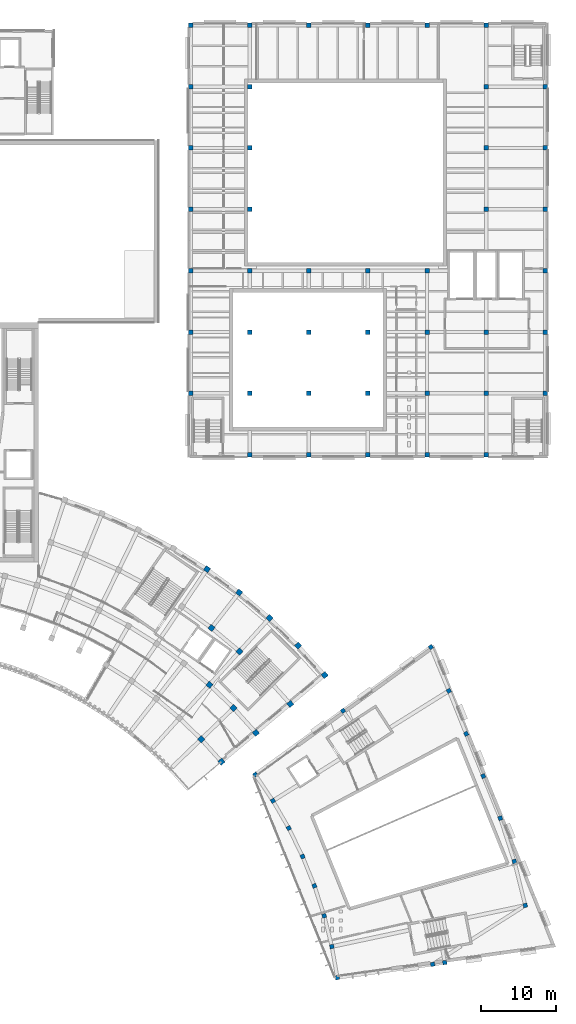
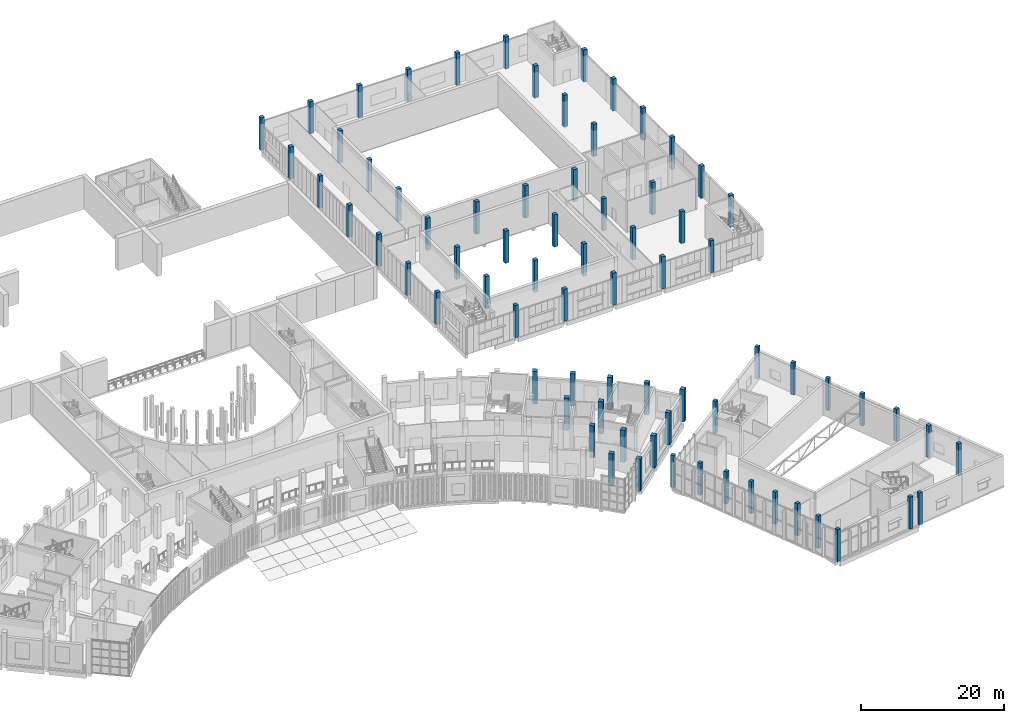
# One storey, part 2 of 112: 74 columns.
"""IFC4 building model written with IfcOpenShell, lengths in metres."""

import ifcopenshell
import ifcopenshell.guid

model = None  # the IFC model being written
_history = None  # IfcOwnerHistory: only IFC2X3 demands one
_inside = {}  # id of a spatial element -> (the spatial element, [elements in it])
_under = {}  # id of a project, library or spatial element -> (it, [spatial elements below it])
_declared = {}  # id of a project -> (the project, [libraries it declares])
_typed = {}  # id of a type object -> (the type object, [elements of that type])
_made_of = {}  # id of a material, layer set ... -> (it, [elements and type objects made of it])


def new_model(schema):
    """Start an empty IFC model of exactly this schema.

    Asked for "IFC4X3", IfcOpenShell would pick the latest addendum, in which some entities
    have other attributes; the version numbers below select the first issue.
    IFC2X3 requires an IfcOwnerHistory on every rooted entity: one is made here for all.
    """
    global model, _history
    if schema == "IFC4X3":
        model = ifcopenshell.file(schema_version=(4, 3, 0, 0))
    else:
        model = ifcopenshell.file(schema=schema)
    _inside.clear()
    _under.clear()
    _declared.clear()
    _typed.clear()
    _made_of.clear()
    _history = None
    if model.schema == "IFC2X3":
        org = make("IfcOrganization", Name="unknown")
        user = make(
            "IfcPersonAndOrganization",
            ThePerson=make("IfcPerson", FamilyName="unknown"),
            TheOrganization=org,
        )
        app = make(
            "IfcApplication",
            ApplicationDeveloper=org,
            Version="unknown",
            ApplicationFullName="unknown",
            ApplicationIdentifier="unknown",
        )
        _history = make(
            "IfcOwnerHistory",
            OwningUser=user,
            OwningApplication=app,
            ChangeAction="ADDED",
            CreationDate=0,
        )
    return model


def make(cls, **values):
    """One entity of the class cls with the attributes given. An attribute that is None is left unset."""
    return model.create_entity(
        cls, **{name: value for name, value in values.items() if value is not None}
    )


def rooted(cls, **values):
    """An entity with a GlobalId (a new one), such as an element, a storey or a relation."""
    return make(cls, GlobalId=ifcopenshell.guid.new(), OwnerHistory=_history, **values)


def si_unit(unit_type, name, prefix=None):
    """IfcSIUnit, for example si_unit("LENGTHUNIT", "METRE", prefix="MILLI")."""
    return make("IfcSIUnit", UnitType=unit_type, Prefix=prefix, Name=name)


def assignment(units):
    """IfcUnitAssignment: the units of a project."""
    return None if units is None else make("IfcUnitAssignment", Units=units)


def point(xyz):
    """IfcCartesianPoint."""
    return None if xyz is None else make("IfcCartesianPoint", Coordinates=xyz)


def direction(xyz):
    """IfcDirection."""
    return None if xyz is None else make("IfcDirection", DirectionRatios=xyz)


def frame(location, z_axis=None, x_axis=None):
    """IfcAxis2Placement3D, a coordinate frame: its origin and axes. An axis left out is left unset."""
    return make(
        "IfcAxis2Placement3D",
        Location=point(location),
        Axis=direction(z_axis),
        RefDirection=direction(x_axis),
    )


def frame_2d(location, x_axis=None):
    """IfcAxis2Placement2D, a coordinate frame in the plane: its origin and x axis."""
    return make(
        "IfcAxis2Placement2D", Location=point(location), RefDirection=direction(x_axis)
    )


def origin():
    """The frame at (0, 0, 0) with its axes left unset."""
    return frame((0.0, 0.0, 0.0))


def origin_2d():
    """The frame at (0, 0) in the plane with its x axis left unset."""
    return frame_2d((0.0, 0.0))


def place(relative_to, where):
    """IfcLocalPlacement: puts the frame where relative to a parent placement (None: the world)."""
    return make(
        "IfcLocalPlacement", PlacementRelTo=relative_to, RelativePlacement=where
    )


def context(
    kind, dimensions, precision=None, world=None, true_north=None, identifier=None
):
    """IfcGeometricRepresentationContext, for example the 3D "Model" context."""
    return make(
        "IfcGeometricRepresentationContext",
        ContextIdentifier=identifier,
        ContextType=kind,
        CoordinateSpaceDimension=dimensions,
        Precision=precision,
        WorldCoordinateSystem=world,
        TrueNorth=true_north,
    )


def subcontext(parent, identifier, kind, view, scale=None):
    """IfcGeometricRepresentationSubContext, for example "Body" below "Model"."""
    return make(
        "IfcGeometricRepresentationSubContext",
        ContextIdentifier=identifier,
        ContextType=kind,
        ParentContext=parent,
        TargetScale=scale,
        TargetView=view,
    )


def project(units=None, contexts=None):
    """IfcProject with its units and contexts."""
    return rooted(
        "IfcProject",
        Name="project",
        RepresentationContexts=contexts,
        UnitsInContext=assignment(units),
    )


def spatial(cls, under=None, at=None, **own):
    """A site, building, storey or space (cls), placed at a placement, below another one or the project."""
    s = rooted(cls, ObjectPlacement=at, **own)
    if under is not None:
        _under.setdefault(under.id(), (under, []))[1].append(s)
    return s


def profile(cls, at=None, kind="AREA", **sizes):
    """A parametric profile (cls). Its sizes go by their IFC names, for example OverallWidth=200.0."""
    return make(cls, ProfileType=kind, Position=at, **sizes)


def rectangle(**sizes):
    """IfcRectangleProfileDef."""
    return profile("IfcRectangleProfileDef", **sizes)


def extrude(swept, where, along, depth):
    """IfcExtrudedAreaSolid: the profile swept, set in the frame where, extruded along a direction by depth."""
    return make(
        "IfcExtrudedAreaSolid",
        SweptArea=swept,
        Position=where,
        ExtrudedDirection=direction(along),
        Depth=depth,
    )


def shape(context_of_items, identifier, shape_type, items):
    """IfcShapeRepresentation: the items that make up one representation, for example the "Body"."""
    return make(
        "IfcShapeRepresentation",
        ContextOfItems=context_of_items,
        RepresentationIdentifier=identifier,
        RepresentationType=shape_type,
        Items=items,
    )


def material(Name=None, Category=None):
    """IfcMaterial."""
    return make("IfcMaterial", Name=Name, Category=Category)


def material_profile(
    of_material, cross_section, Name=None, Category=None, Priority=None
):
    """IfcMaterialProfile: a cross section and its material."""
    return make(
        "IfcMaterialProfile",
        Name=Name,
        Material=of_material,
        Profile=cross_section,
        Priority=Priority,
        Category=Category,
    )


def profile_set(profiles, Name=None, composite=None):
    """IfcMaterialProfileSet."""
    return make(
        "IfcMaterialProfileSet",
        Name=Name,
        MaterialProfiles=profiles,
        CompositeProfile=composite,
    )


def made_of(thing, what):
    """Note that an element or type object is made of a material, layer set ...; save() writes the relation."""
    if what is not None:
        _made_of.setdefault(what.id(), (what, []))[1].append(thing)
    return thing


def type_object(cls, material=None, **own):
    """A type object (cls), such as IfcWallType, which elements share."""
    return made_of(rooted(cls, **own), material)


def element(
    cls,
    number,
    at=None,
    inside=None,
    cuts=None,
    type_object=None,
    material=None,
    context=None,
    identifier="Body",
    shape_type=None,
    held_by="IfcProductDefinitionShape",
    body=None,
    shapes=None,
    **own,
):
    """One element of the class cls, such as IfcWall. Its Tag is "e" and its number.

    at: its placement. inside: the storey or other place that contains it. cuts: it is an
    opening in that element (IfcRelVoidsElement). A single representation is given by context,
    identifier, shape_type and body (its items); several are given by shapes. held_by: the class
    of the entity that holds the representations. save() writes the other relations.
    """
    e = rooted(cls, Tag="e%d" % number, ObjectPlacement=at, **own)
    if body is not None:
        shapes = [shape(context, identifier, shape_type, body)]
    if shapes is not None:
        e.Representation = make(held_by, Representations=shapes)
    if inside is not None:
        _inside.setdefault(inside.id(), (inside, []))[1].append(e)
    if cuts is not None:
        rooted(
            "IfcRelVoidsElement", RelatingBuildingElement=cuts, RelatedOpeningElement=e
        )
    if type_object is not None:
        _typed.setdefault(type_object.id(), (type_object, []))[1].append(e)
    return made_of(e, material)


def aggregate(whole, parts):
    """IfcRelAggregates: a whole, such as a stair, and the parts it consists of."""
    return rooted("IfcRelAggregates", RelatingObject=whole, RelatedObjects=parts)


def save(model, path):
    """Write the relations noted so far, then the file.

    IfcRelAggregates (storeys below a building ...), IfcRelContainedInSpatialStructure (elements
    in a storey), IfcRelDefinesByType, IfcRelAssociatesMaterial and IfcRelDeclares: one each for
    every whole, place, type object, material and project.
    """
    for whole, parts in _under.values():
        aggregate(whole, parts)
    for where, things in _inside.values():
        rooted(
            "IfcRelContainedInSpatialStructure",
            RelatedElements=things,
            RelatingStructure=where,
        )
    for kind, things in _typed.values():
        rooted("IfcRelDefinesByType", RelatedObjects=things, RelatingType=kind)
    for what, things in _made_of.values():
        rooted("IfcRelAssociatesMaterial", RelatedObjects=things, RelatingMaterial=what)
    for by, libraries in _declared.values():
        rooted("IfcRelDeclares", RelatingContext=by, RelatedDefinitions=libraries)
    model.write(path)


model = new_model("IFC4")

# Units and contexts
model_context = context("Model", 3, precision=1e-05, world=origin(), true_north=direction((0.0, 1.0)))
body_context = subcontext(model_context, "Body", "Model", "MODEL_VIEW")
ifc_project = project(units=[si_unit("LENGTHUNIT", "METRE"), si_unit("AREAUNIT", "SQUARE_METRE"), si_unit("VOLUMEUNIT", "CUBIC_METRE"), si_unit("PLANEANGLEUNIT", "RADIAN"), si_unit("MASSUNIT", "GRAM", prefix="KILO")], contexts=[model_context])

# Site, building, storey
site_placement = place(None, origin())
site = spatial("IfcSite", under=ifc_project, at=site_placement, CompositionType="ELEMENT")
building_placement = place(site_placement, origin())
building = spatial("IfcBuilding", under=site, at=building_placement, Name="Lunette Opera House", CompositionType="ELEMENT")
storey_placement = place(building_placement, frame((0.0, 0.0, 6.0)))
storey = spatial("IfcBuildingStorey", under=building, at=storey_placement, Name="L01", CompositionType="ELEMENT", Elevation=6.0)

# Columns
ifc_material_1 = material(Name="Concrete C35/45", Category="concrete")
ifc_material_profile_1 = material_profile(ifc_material_1, rectangle(XDim=0.550048828125, YDim=0.550048828125, at=origin_2d()), Name="RC COLUMN 550X550")
ifc_profile_set_1 = profile_set([ifc_material_profile_1], Name="Concrete C35/45")
column_type_1 = type_object("IfcColumnType", Name="RC COLUMN 550X550", PredefinedType="COLUMN", material=ifc_profile_set_1)
for number, where, z_axis, x_axis, name in (
    (1, (144.946044921875, 35.56103515625, 0.0), (0.0, 0.0, 1.0), (0.587785252292, -0.809016994375, 0.0), "col-SB-L01-C00"),
    (2, (147.306884765625, 32.06005859375, 0.0), (0.0, 0.0, 1.0), (0.529919264233, -0.848048096156, 0.0), "col-SB-L01-C01"),
    (3, (149.41796875, 28.403076171875, 0.0), (0.0, 0.0, 1.0), (0.469471562786, -0.882947592859, 0.0), "col-SB-L01-C02"),
    (4, (151.27001953125, 24.60791015625, 0.0), (0.0, 0.0, 1.0), (0.406736643076, -0.913545457643, 0.0), "col-SB-L01-C03"),
    (5, (152.85107421875, 20.69189453125, 0.0), (0.0, 0.0, 1.0), (0.342020143326, -0.939692620786, 0.0), "col-SB-L01-C04"),
    (6, (154.156005859375, 16.676025390625, 0.0), (0.0, 0.0, 1.0), (0.275637355817, -0.961261695938, 0.0), "col-SB-L01-C05"),
    (7, (155.177978515625, 12.5791015625, 0.0), (0.0, 0.0, 1.0), (0.207911690818, -0.978147600734, 0.0), "col-SB-L01-C06"),
    (8, (155.910888671875, 8.419921875, 0.0), (0.0, 0.0, 1.0), (0.13917310096, -0.990268068742, 0.0), "col-SB-L01-C07"),
    (9, (156.676025390625, 44.083984375, 0.0), (0.0, 0.0, 1.0), (0.587785252292, -0.809016994375, 0.0), "col-SB-L01-C10"),
    (10, (170.27001953125, 10.43798828125, 0.0), (0.0, 0.0, 1.0), (0.13917310096, -0.990268068742, 0.0), "col-SB-L01-C17"),
    (11, (168.406982421875, 52.60693359375, 0.0), (0.0, 0.0, 1.0), (0.587785252292, -0.809016994375, 0.0), "col-SB-L01-C20"),
    (12, (170.818115234375, 46.751953125, 0.0), (0.0, 0.0, 1.0), (0.529919264233, -0.848048096156, 0.0), "col-SB-L01-C21"),
    (13, (173.133056640625, 41.011962890625, 0.0), (0.0, 0.0, 1.0), (0.469471562786, -0.882947592859, 0.0), "col-SB-L01-C22"),
    (14, (175.4150390625, 35.35791015625, 0.0), (0.0, 0.0, 1.0), (0.406736643076, -0.913545457643, 0.0), "col-SB-L01-C23"),
    (15, (177.68798828125, 29.73193359375, 0.0), (0.0, 0.0, 1.0), (0.342020143326, -0.939692620786, 0.0), "col-SB-L01-C24"),
    (16, (179.56298828125, 23.9609375, 0.0), (0.0, 0.0, 1.0), (0.275637355817, -0.961261695938, 0.0), "col-SB-L01-C25"),
    (17, (181.030029296875, 18.073974609375, 0.0), (0.0, 0.0, 1.0), (0.207911690818, -0.978147600734, 0.0), "col-SB-L01-C26"),
    (18, (168.64697265625, 10.2099609375, 0.0), (0.0, 0.0, 1.0), (0.13917310096, -0.990268068742, 0.0), "col-SB-L01-C27"),
):
    element("IfcColumn", number, at=place(storey_placement, frame(where, z_axis=z_axis, x_axis=x_axis)), inside=storey, type_object=column_type_1, Name=name, PredefinedType="COLUMN", context=body_context, shape_type="SweptSolid", body=[
        extrude(rectangle(XDim=0.550048828125, YDim=0.550048828125, at=origin_2d()), origin(), (0.0, 0.0, 1.0), 5.5),
    ])
ifc_material_2 = material(Name="Concrete C35/45", Category="concrete")
ifc_material_profile_2 = material_profile(ifc_material_2, rectangle(XDim=0.60009765625, YDim=0.60009765625, at=origin_2d()), Name="RC COLUMN 600X600")
ifc_profile_set_2 = profile_set([ifc_material_profile_2], Name="Concrete C35/45")
column_type_2 = type_object("IfcColumnType", Name="RC COLUMN 600X600", PredefinedType="COLUMN", material=ifc_profile_set_2)
for number, where, z_axis, x_axis, name in (
    (19, (136.300048828125, 86.5, 0.0), (0.0, 0.0, 1.0), (1.0, 0.0, 0.0), "col-WW-L01-C01"),
    (20, (136.300048828125, 94.699951171875, 0.0), (0.0, 0.0, 1.0), (1.0, 0.0, 0.0), "col-WW-L01-C02"),
    (21, (136.300048828125, 102.89990234375, 0.0), (0.0, 0.0, 1.0), (1.0, 0.0, 0.0), "col-WW-L01-C03"),
    (22, (136.300048828125, 111.10009765625, 0.0), (0.0, 0.0, 1.0), (1.0, 0.0, 0.0), "col-WW-L01-C04"),
    (23, (136.300048828125, 119.300048828125, 0.0), (0.0, 0.0, 1.0), (1.0, 0.0, 0.0), "col-WW-L01-C05"),
    (24, (136.300048828125, 127.5, 0.0), (0.0, 0.0, 1.0), (1.0, 0.0, 0.0), "col-WW-L01-C06"),
    (25, (136.300048828125, 135.699951171875, 0.0), (0.0, 0.0, 1.0), (1.0, 0.0, 0.0), "col-WW-L01-C07"),
    (26, (144.199951171875, 78.300048828125, 0.0), (0.0, 0.0, 1.0), (1.0, 0.0, 0.0), "col-WW-L01-C10"),
    (27, (144.199951171875, 86.5, 0.0), (0.0, 0.0, 1.0), (1.0, 0.0, 0.0), "col-WW-L01-C11"),
    (28, (144.199951171875, 94.699951171875, 0.0), (0.0, 0.0, 1.0), (1.0, 0.0, 0.0), "col-WW-L01-C12"),
    (29, (144.199951171875, 102.89990234375, 0.0), (0.0, 0.0, 1.0), (1.0, 0.0, 0.0), "col-WW-L01-C13"),
    (30, (144.199951171875, 111.10009765625, 0.0), (0.0, 0.0, 1.0), (1.0, 0.0, 0.0), "col-WW-L01-C14"),
    (31, (144.199951171875, 119.300048828125, 0.0), (0.0, 0.0, 1.0), (1.0, 0.0, 0.0), "col-WW-L01-C15"),
    (32, (144.199951171875, 127.5, 0.0), (0.0, 0.0, 1.0), (1.0, 0.0, 0.0), "col-WW-L01-C16"),
    (33, (144.199951171875, 135.699951171875, 0.0), (0.0, 0.0, 1.0), (1.0, 0.0, 0.0), "col-WW-L01-C17"),
    (34, (152.10009765625, 78.300048828125, 0.0), (0.0, 0.0, 1.0), (1.0, 0.0, 0.0), "col-WW-L01-C20"),
    (35, (152.10009765625, 86.5, 0.0), (0.0, 0.0, 1.0), (1.0, 0.0, 0.0), "col-WW-L01-C21"),
    (36, (152.10009765625, 94.699951171875, 0.0), (0.0, 0.0, 1.0), (1.0, 0.0, 0.0), "col-WW-L01-C22"),
    (37, (152.10009765625, 102.89990234375, 0.0), (0.0, 0.0, 1.0), (1.0, 0.0, 0.0), "col-WW-L01-C23"),
    (38, (152.10009765625, 135.699951171875, 0.0), (0.0, 0.0, 1.0), (1.0, 0.0, 0.0), "col-WW-L01-C27"),
    (39, (160.0, 78.300048828125, 0.0), (0.0, 0.0, 1.0), (1.0, 0.0, 0.0), "col-WW-L01-C30"),
    (40, (160.0, 86.5, 0.0), (0.0, 0.0, 1.0), (1.0, 0.0, 0.0), "col-WW-L01-C31"),
    (41, (160.0, 94.699951171875, 0.0), (0.0, 0.0, 1.0), (1.0, 0.0, 0.0), "col-WW-L01-C32"),
    (42, (160.0, 102.89990234375, 0.0), (0.0, 0.0, 1.0), (1.0, 0.0, 0.0), "col-WW-L01-C33"),
    (43, (160.0, 135.699951171875, 0.0), (0.0, 0.0, 1.0), (1.0, 0.0, 0.0), "col-WW-L01-C37"),
    (44, (167.89990234375, 78.300048828125, 0.0), (0.0, 0.0, 1.0), (1.0, 0.0, 0.0), "col-WW-L01-C40"),
    (45, (167.89990234375, 86.5, 0.0), (0.0, 0.0, 1.0), (1.0, 0.0, 0.0), "col-WW-L01-C41"),
    (46, (167.89990234375, 94.699951171875, 0.0), (0.0, 0.0, 1.0), (1.0, 0.0, 0.0), "col-WW-L01-C42"),
    (47, (167.89990234375, 102.89990234375, 0.0), (0.0, 0.0, 1.0), (1.0, 0.0, 0.0), "col-WW-L01-C43"),
    (48, (167.89990234375, 135.699951171875, 0.0), (0.0, 0.0, 1.0), (1.0, 0.0, 0.0), "col-WW-L01-C47"),
    (49, (175.800048828125, 78.300048828125, 0.0), (0.0, 0.0, 1.0), (1.0, 0.0, 0.0), "col-WW-L01-C50"),
    (50, (175.800048828125, 86.5, 0.0), (0.0, 0.0, 1.0), (1.0, 0.0, 0.0), "col-WW-L01-C51"),
    (51, (175.800048828125, 94.699951171875, 0.0), (0.0, 0.0, 1.0), (1.0, 0.0, 0.0), "col-WW-L01-C52"),
    (52, (175.800048828125, 111.10009765625, 0.0), (0.0, 0.0, 1.0), (1.0, 0.0, 0.0), "col-WW-L01-C54"),
    (53, (175.800048828125, 119.300048828125, 0.0), (0.0, 0.0, 1.0), (1.0, 0.0, 0.0), "col-WW-L01-C55"),
    (54, (175.800048828125, 127.5, 0.0), (0.0, 0.0, 1.0), (1.0, 0.0, 0.0), "col-WW-L01-C56"),
    (55, (175.800048828125, 135.699951171875, 0.0), (0.0, 0.0, 1.0), (1.0, 0.0, 0.0), "col-WW-L01-C57"),
    (56, (183.699951171875, 86.5, 0.0), (0.0, 0.0, 1.0), (1.0, 0.0, 0.0), "col-WW-L01-C61"),
    (57, (183.699951171875, 94.699951171875, 0.0), (0.0, 0.0, 1.0), (1.0, 0.0, 0.0), "col-WW-L01-C62"),
    (58, (183.699951171875, 102.89990234375, 0.0), (0.0, 0.0, 1.0), (1.0, 0.0, 0.0), "col-WW-L01-C63"),
    (59, (183.699951171875, 111.10009765625, 0.0), (0.0, 0.0, 1.0), (1.0, 0.0, 0.0), "col-WW-L01-C64"),
    (60, (183.699951171875, 119.300048828125, 0.0), (0.0, 0.0, 1.0), (1.0, 0.0, 0.0), "col-WW-L01-C65"),
    (61, (183.699951171875, 127.5, 0.0), (0.0, 0.0, 1.0), (1.0, 0.0, 0.0), "col-WW-L01-C66"),
):
    element("IfcColumn", number, at=place(storey_placement, frame(where, z_axis=z_axis, x_axis=x_axis)), inside=storey, type_object=column_type_2, Name=name, PredefinedType="COLUMN", context=body_context, shape_type="SweptSolid", body=[
        extrude(rectangle(XDim=0.60009765625, YDim=0.60009765625, at=origin_2d()), origin(), (0.0, 0.0, 1.0), 5.5),
    ])
ifc_material_3 = material(Name="Concrete C35/45", Category="concrete")
ifc_material_profile_3 = material_profile(ifc_material_3, rectangle(XDim=0.699951171875, YDim=0.699951171875, at=origin_2d()), Name="RC COLUMN 700X700")
ifc_profile_set_3 = profile_set([ifc_material_profile_3], Name="Concrete C35/45")
column_type_3 = type_object("IfcColumnType", Name="RC COLUMN 700X700", PredefinedType="COLUMN", material=ifc_profile_set_3)
for number, where, z_axis, x_axis, name in (
    (62, (137.721923828125, 40.2900390625, 0.0), (0.0, 0.0, 1.0), (0.694658370459, -0.719339800339, 0.0), "col-FC-L01-AR-M1-RL-25"),
    (63, (140.430908203125, 37.281982421875, 0.0), (0.0, 0.0, 1.0), (0.642787609687, -0.766044443119, 0.0), "col-FC-L01-AR-M1-RL-26"),
    (64, (138.823974609375, 47.56103515625, 0.0), (0.0, 0.0, 1.0), (0.743144825477, -0.669130606359, 0.0), "col-FC-L01-AR-B-RL-24"),
    (65, (142.0380859375, 44.4580078125, 0.0), (0.0, 0.0, 1.0), (0.694658370459, -0.719339800339, 0.0), "col-FC-L01-AR-B-RL-25"),
    (66, (145.027099609375, 41.137939453125, 0.0), (0.0, 0.0, 1.0), (0.642787609687, -0.766044443119, 0.0), "col-FC-L01-AR-B-RL-26"),
    (67, (139.095947265625, 55.160888671875, 0.0), (0.0, 0.0, 1.0), (0.788010753607, -0.615661475326, 0.0), "col-FC-L01-AR-M2-RL-23"),
    (68, (142.839111328125, 52.02001953125, 0.0), (0.0, 0.0, 1.0), (0.743144825477, -0.669130606359, 0.0), "col-FC-L01-AR-M2-RL-24"),
    (69, (149.623046875, 44.9951171875, 0.0), (0.0, 0.0, 1.0), (0.642787609687, -0.766044443119, 0.0), "col-FC-L01-AR-M2-RL-26"),
    (70, (138.4990234375, 63.007080078125, 0.0), (0.0, 0.0, 1.0), (0.829037572555, -0.559192903471, 0.0), "col-FC-L01-AR-C-RL-22"),
    (71, (142.7900390625, 59.888916015625, 0.0), (0.0, 0.0, 1.0), (0.788010753607, -0.615661475326, 0.0), "col-FC-L01-AR-C-RL-23"),
    (72, (146.85400390625, 56.47900390625, 0.0), (0.0, 0.0, 1.0), (0.743144825477, -0.669130606359, 0.0), "col-FC-L01-AR-C-RL-24"),
    (73, (150.669921875, 52.7939453125, 0.0), (0.0, 0.0, 1.0), (0.694658370459, -0.719339800339, 0.0), "col-FC-L01-AR-C-RL-25"),
    (74, (154.218994140625, 48.85205078125, 0.0), (0.0, 0.0, 1.0), (0.642787609687, -0.766044443119, 0.0), "col-FC-L01-AR-C-RL-26"),
):
    element("IfcColumn", number, at=place(storey_placement, frame(where, z_axis=z_axis, x_axis=x_axis)), inside=storey, type_object=column_type_3, Name=name, PredefinedType="COLUMN", context=body_context, shape_type="SweptSolid", body=[
        extrude(rectangle(XDim=0.699951171875, YDim=0.699951171875, at=origin_2d()), origin(), (0.0, 0.0, 1.0), 5.5),
    ])

save(model, "model.ifc")
